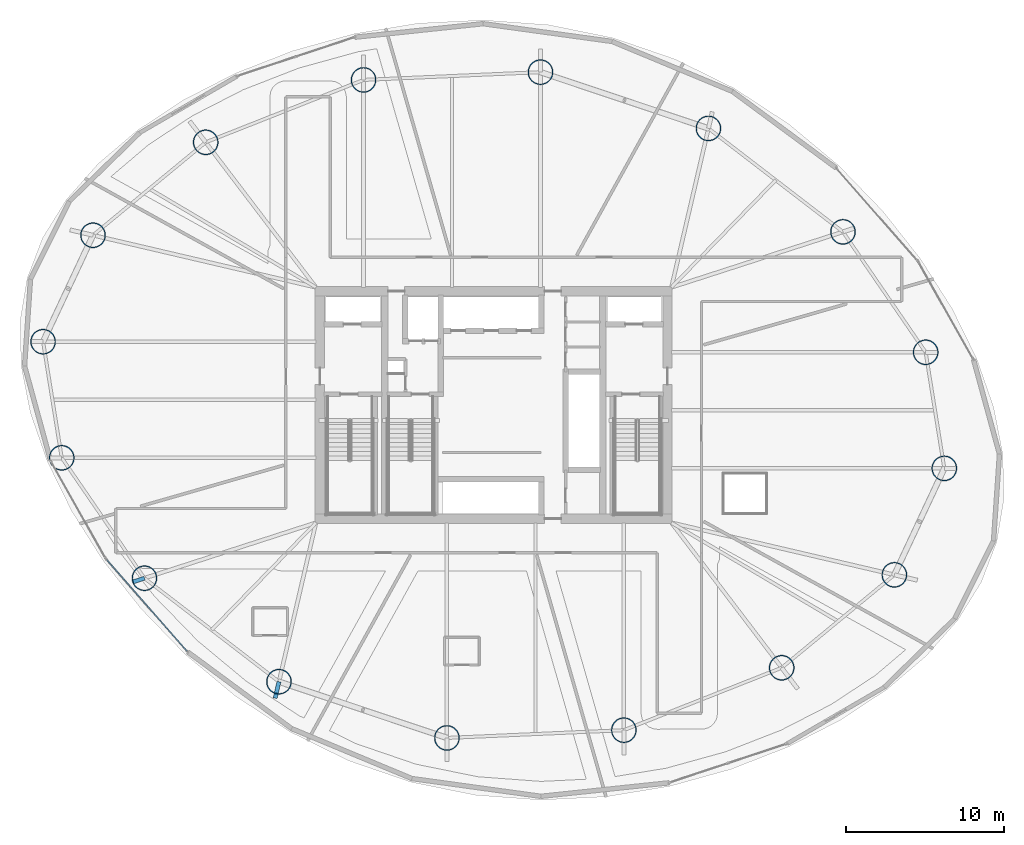
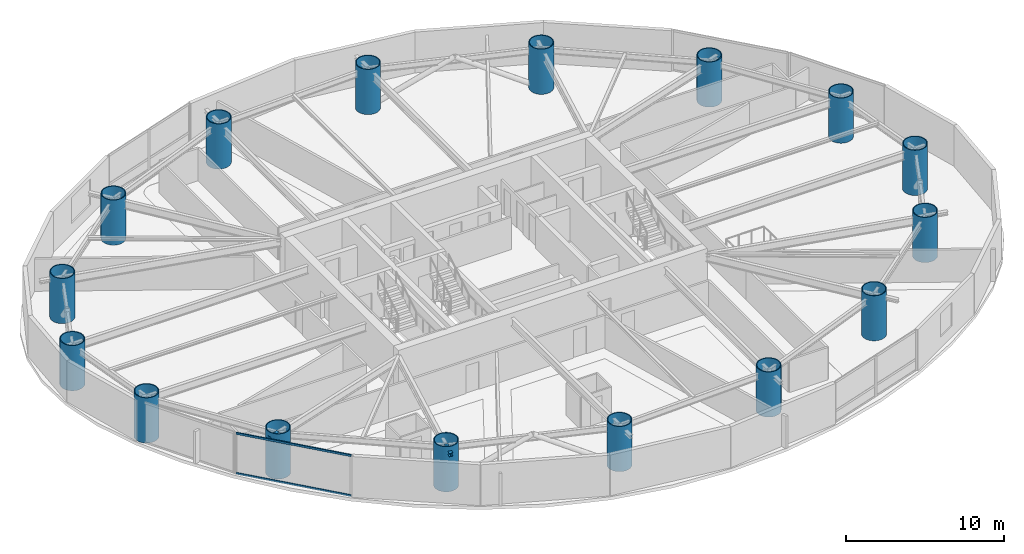
# One storey, part 1 of 25: 16 columns, 2 beams, 2 members, 1 element without a shape of its own.
"""IFC4 building model written with IfcOpenShell, lengths in metres."""

from ifc_helpers import new_model, si_unit, direction, frame, origin, origin_2d, place, context, subcontext, project, spatial, hollow_rectangle, hollow_circle, i_section, extrude, material, layer, layer_set, material_profile, profile_set, type_object, element, aggregate, save


model = new_model("IFC4")

# Units and contexts
model_context = context("Model", 3, precision=1e-05, world=origin(), true_north=direction((0.0, 1.0)))
body_context = subcontext(model_context, "Body", "Model", "MODEL_VIEW")
ifc_project = project(units=[si_unit("LENGTHUNIT", "METRE"), si_unit("AREAUNIT", "SQUARE_METRE"), si_unit("VOLUMEUNIT", "CUBIC_METRE"), si_unit("PLANEANGLEUNIT", "RADIAN"), si_unit("MASSUNIT", "GRAM", prefix="KILO")], contexts=[model_context])

# Site, building, storey
site_placement = place(None, origin())
site = spatial("IfcSite", under=ifc_project, at=site_placement, CompositionType="ELEMENT")
building_placement = place(site_placement, origin())
building = spatial("IfcBuilding", under=site, at=building_placement, Name="Bramvorn Convention Spire", CompositionType="ELEMENT")
storey_placement = place(building_placement, frame((0.0, 0.0, 93.89990234375)))
storey = spatial("IfcBuildingStorey", under=building, at=storey_placement, Name="L22", CompositionType="ELEMENT", Elevation=93.89990234375)

# Columns
ifc_material_1 = material(Name="Steel CSA G40.21 Grade 350 (350W)", Category="steel")
ifc_material_profile_1 = material_profile(ifc_material_1, hollow_circle(Radius=0.800048828125, WallThickness=0.06005859375, at=origin_2d()))
ifc_profile_set_1 = profile_set([ifc_material_profile_1], Name="Steel CSA G40.21 Grade 350 (350W) - CFT1600X60")
column_type = type_object("IfcColumnType", Name="COL-CFT1600X60", PredefinedType="COLUMN", material=ifc_profile_set_1)
for number, where, z_axis, x_axis, name in (
    (1, (66.519775390625, 21.99169921875, 0.0), (0.0, 0.0, 1.0), (1.0, 0.0, 0.0), "L22 composite CFT mega-column MC01"),
    (2, (65.338623046875, 29.340087890625, 0.0), (0.0, 0.0, 1.0), (1.0, 0.0, 0.0), "L22 composite CFT mega-column MC02"),
    (3, (60.105224609375, 36.960205078125, 0.0), (0.0, 0.0, 1.0), (1.0, 0.0, 0.0), "L22 composite CFT mega-column MC03"),
    (4, (51.59033203125, 43.509033203125, 0.0), (0.0, 0.0, 1.0), (1.0, 0.0, 0.0), "L22 composite CFT mega-column MC04"),
    (5, (40.9609375, 47.06884765625, 0.0), (0.0, 0.0, 1.0), (1.0, 0.0, 0.0), "L22 composite CFT mega-column MC05"),
    (6, (29.76220703125, 46.57666015625, 0.0), (0.0, 0.0, 1.0), (1.0, 0.0, 0.0), "L22 composite CFT mega-column MC06"),
    (7, (19.772216796875, 42.628662109375, 0.0), (0.0, 0.0, 1.0), (1.0, 0.0, 0.0), "L22 composite CFT mega-column MC07"),
    (8, (12.64111328125, 36.746337890625, 0.0), (0.0, 0.0, 1.0), (1.0, 0.0, 0.0), "L22 composite CFT mega-column MC08"),
    (9, (9.480224609375, 30.00830078125, 0.0), (0.0, 0.0, 1.0), (1.0, 0.0, 0.0), "L22 composite CFT mega-column MC09"),
    (10, (10.661376953125, 22.659912109375, 0.0), (0.0, 0.0, 1.0), (1.0, 0.0, 0.0), "L22 composite CFT mega-column MC10"),
    (11, (15.894775390625, 15.039794921875, 0.0), (0.0, 0.0, 1.0), (1.0, 0.0, 0.0), "L22 composite CFT mega-column MC11"),
    (12, (24.40966796875, 8.490966796875, 0.0), (0.0, 0.0, 1.0), (1.0, 0.0, 0.0), "L22 composite CFT mega-column MC12"),
    (13, (35.0390625, 4.93115234375, 0.0), (0.0, 0.0, 1.0), (1.0, 0.0, 0.0), "L22 composite CFT mega-column MC13"),
    (14, (46.23779296875, 5.42333984375, 0.0), (0.0, 0.0, 1.0), (1.0, 0.0, 0.0), "L22 composite CFT mega-column MC14"),
    (15, (56.227783203125, 9.371337890625, 0.0), (0.0, 0.0, 1.0), (1.0, 0.0, 0.0), "L22 composite CFT mega-column MC15"),
    (16, (63.35888671875, 15.253662109375, 0.0), (0.0, 0.0, 1.0), (1.0, 0.0, 0.0), "L22 composite CFT mega-column MC16"),
):
    element("IfcColumn", number, at=place(storey_placement, frame(where, z_axis=z_axis, x_axis=x_axis)), inside=storey, type_object=column_type, Name=name, PredefinedType="COLUMN", context=body_context, shape_type="SweptSolid", body=[
        extrude(hollow_circle(Radius=0.800048828125, WallThickness=0.06005859375, at=origin_2d()), origin(), (0.0, 0.0, 1.0), 3.5),
    ])

# Beams
ifc_material_profile_2 = material_profile(ifc_material_1, i_section(OverallWidth=0.25390625, OverallDepth=0.2529296875, WebThickness=0.008544921875, FlangeThickness=0.01416015625, FilletRadius=0.011962890625, at=origin_2d()))
ifc_profile_set_2 = profile_set([ifc_material_profile_2], Name="Steel CSA G40.21 Grade 350 (350W) - W250X73")
beam_type = type_object("IfcBeamType", Name="BM-W250X73", PredefinedType="BEAM", material=ifc_profile_set_2)
beam_1_placement = place(storey_placement, frame((15.894775390625, 15.039794921875, 3.023681640625), z_axis=(-0.951512841193, -0.307609026274, 0.0), x_axis=(0.307609026274, -0.951512841193, 0.0)))
element("IfcBeam", 17, at=beam_1_placement, inside=storey, type_object=beam_type, Name="L22 slab-edge cantilever tip beam MC11", PredefinedType="BEAM", context=body_context, shape_type="SweptSolid", body=[
    extrude(i_section(OverallWidth=0.25390625, OverallDepth=0.2529296875, WebThickness=0.008544921875, FlangeThickness=0.01416015625, FilletRadius=0.011962890625, at=origin_2d()), origin(), (0.0, 0.0, 1.0), 0.800048828125),
])
beam_2_placement = place(storey_placement, frame((24.40966796875, 8.490966796875, 3.023681640625), z_axis=(-0.226453299677, -0.974022023912, 0.0), x_axis=(0.974022023912, -0.226453299677, 0.0)))
element("IfcBeam", 18, at=beam_2_placement, inside=storey, type_object=beam_type, Name="L22 slab-edge cantilever tip beam MC12", PredefinedType="BEAM", context=body_context, shape_type="SweptSolid", body=[
    extrude(i_section(OverallWidth=0.25390625, OverallDepth=0.2529296875, WebThickness=0.008544921875, FlangeThickness=0.01416015625, FilletRadius=0.011962890625, at=origin_2d()), origin(), (0.0, 0.0, 1.0), 1.07373046875),
])

# Curtain wall, members
ifc_material_2 = material(Name="Anodised Bronze Unitised Curtain Wall", Category="aluminium")
ifc_layer = layer(ifc_material_2, 0.179931640625)
ifc_layer_set = layer_set([ifc_layer], Name="Anodised Bronze Unitised Curtain Wall - CW-HTL-FRIT")
curtain_wall_type = type_object("IfcCurtainWallType", Name="CW-HTL-FRIT", PredefinedType="USERDEFINED", material=ifc_layer_set)
curtain_wall_placement = place(storey_placement, origin())
curtain_wall = element("IfcCurtainWall", 19, at=curtain_wall_placement, inside=storey, type_object=curtain_wall_type, Name="L22 fritted glass curtain wall 16", ObjectType="UNITISED CURTAIN WALL", PredefinedType="USERDEFINED")
ifc_material_3 = material(Name="Anodised Bronze Aluminium 6063-T6", Category="aluminium")
ifc_material_profile_3 = material_profile(ifc_material_3, hollow_rectangle(XDim=0.080078125, YDim=0.159912109375, WallThickness=0.00390625, InnerFilletRadius=0.0009765625, OuterFilletRadius=0.00390625, at=origin_2d()))
ifc_profile_set_3 = profile_set([ifc_material_profile_3], Name="Anodised Bronze Aluminium 6063-T6 - CWT80X160")
member_type = type_object("IfcMemberType", Name="CW-TRN-150", PredefinedType="USERDEFINED", material=ifc_profile_set_3)
member_1_placement = place(storey_placement, frame((18.595947265625, 10.418701171875, 0.030029296875), z_axis=(-0.65977679797, 0.751461627004, 0.0), x_axis=(-0.751461627004, -0.65977679797, 0.0)))
member_1 = element("IfcMember", 20, at=member_1_placement, type_object=member_type, Name="CW2 transom 1.1", ObjectType="TRANSOM", PredefinedType="USERDEFINED", context=body_context, shape_type="SweptSolid", body=[
    extrude(hollow_rectangle(XDim=0.080078125, YDim=0.159912109375, WallThickness=0.00390625, InnerFilletRadius=0.0009765625, OuterFilletRadius=0.00390625, at=origin_2d()), origin(), (0.0, 0.0, 1.0), 7.724853515625),
])
member_2_placement = place(storey_placement, frame((18.595947265625, 10.418701171875, 3.1201171875), z_axis=(-0.65977679797, 0.751461627004, 0.0), x_axis=(-0.751461627004, -0.65977679797, 0.0)))
member_2 = element("IfcMember", 21, at=member_2_placement, type_object=member_type, Name="CW2 transom 1.2", ObjectType="TRANSOM", PredefinedType="USERDEFINED", context=body_context, shape_type="SweptSolid", body=[
    extrude(hollow_rectangle(XDim=0.080078125, YDim=0.159912109375, WallThickness=0.00390625, InnerFilletRadius=0.0009765625, OuterFilletRadius=0.00390625, at=origin_2d()), origin(), (0.0, 0.0, 1.0), 7.724853515625),
])
aggregate(curtain_wall, [member_1, member_2])

save(model, "model.ifc")
